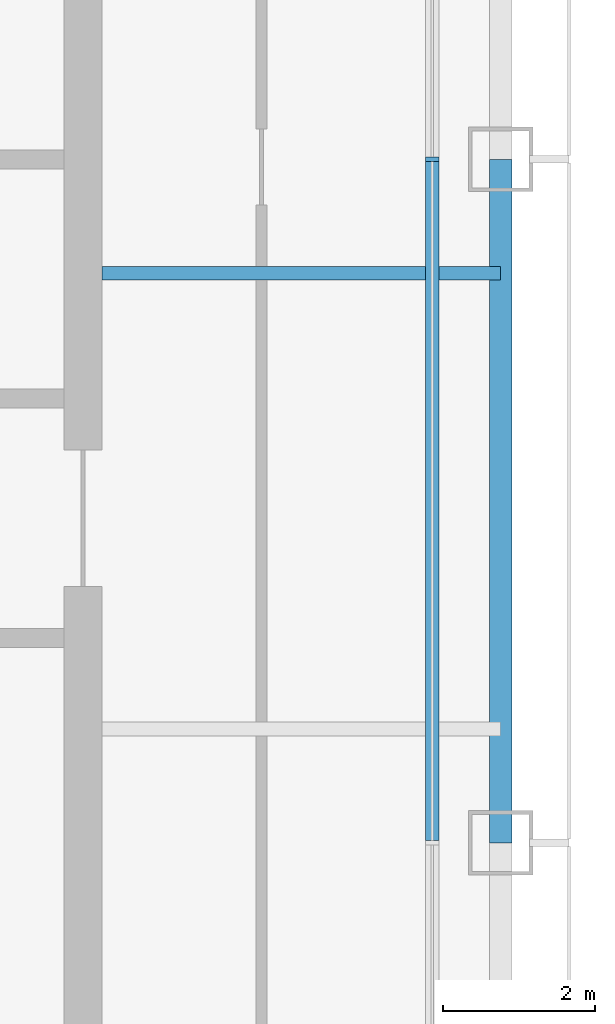
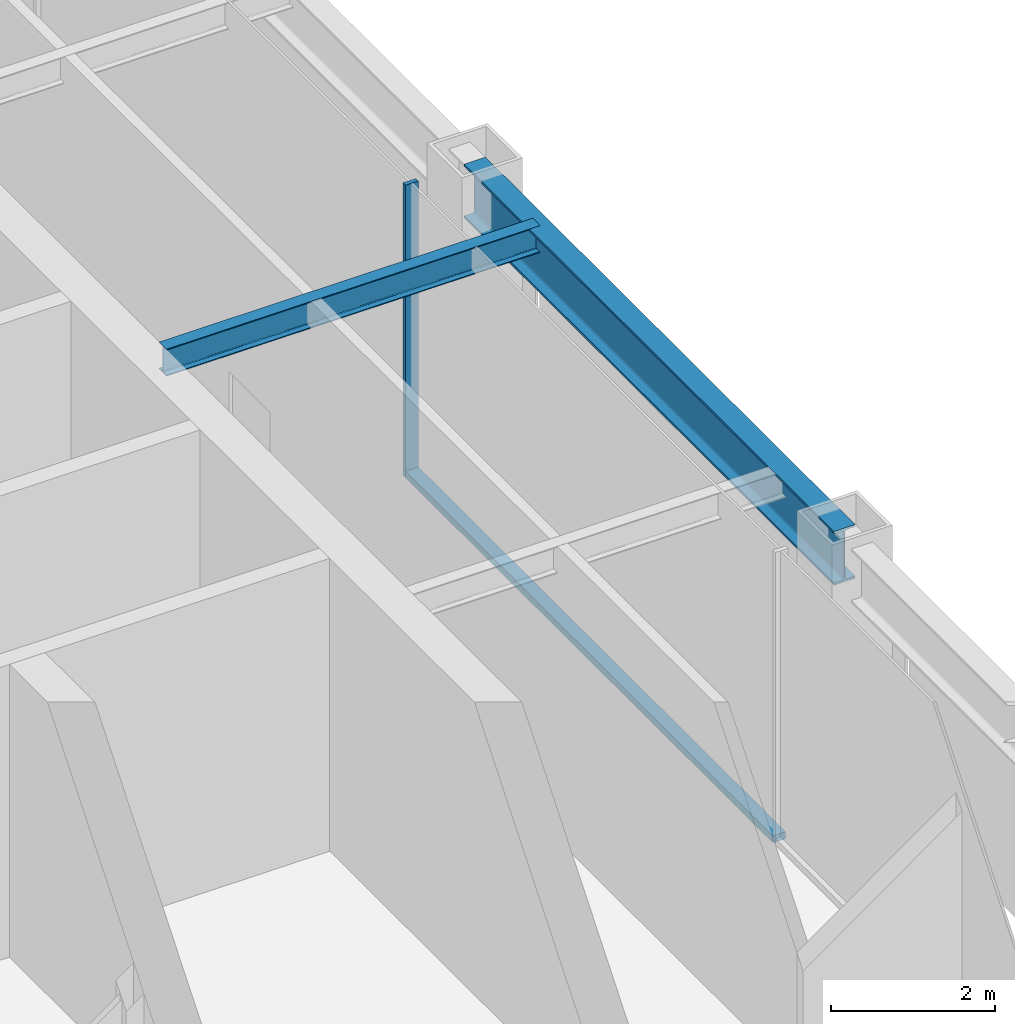
# One storey, part 5 of 22: 2 beams, 2 members, 1 element without a shape of its own.
"""IFC4 building model written with IfcOpenShell, lengths in metres."""

from ifc_helpers import new_model, si_unit, direction, frame, origin, origin_2d, place, context, subcontext, project, spatial, rectangle, i_section, extrude, material, layer, layer_set, material_profile, profile_set, type_object, element, aggregate, save


model = new_model("IFC4")

# Units and contexts
model_context = context("Model", 3, precision=1e-05, world=origin(), true_north=direction((0.0, 1.0)))
body_context = subcontext(model_context, "Body", "Model", "MODEL_VIEW")
ifc_project = project(units=[si_unit("LENGTHUNIT", "METRE"), si_unit("AREAUNIT", "SQUARE_METRE"), si_unit("VOLUMEUNIT", "CUBIC_METRE"), si_unit("PLANEANGLEUNIT", "RADIAN"), si_unit("MASSUNIT", "GRAM", prefix="KILO")], contexts=[model_context])

# Site, building, storey
site_placement = place(None, origin())
site = spatial("IfcSite", under=ifc_project, at=site_placement, CompositionType="ELEMENT")
building_placement = place(site_placement, origin())
building = spatial("IfcBuilding", under=site, at=building_placement, Name="Siwar Civic Tower", CompositionType="ELEMENT")
storey_placement = place(building_placement, frame((0.0, 0.0, 201.699951171875)))
storey = spatial("IfcBuildingStorey", under=building, at=storey_placement, Name="L43", CompositionType="ELEMENT", Elevation=201.699951171875)

# Curtain wall, members
ifc_material_1 = material(Name="Aluminium and glass", Category="aluminium")
ifc_layer = layer(ifc_material_1, 0.179931640625)
ifc_layer_set = layer_set([ifc_layer], Name="Aluminium and glass")
curtain_wall_type = type_object("IfcCurtainWallType", Name="ENV-CW-C", PredefinedType="NOTDEFINED", material=ifc_layer_set)
curtain_wall_placement = place(storey_placement, origin())
curtain_wall = element("IfcCurtainWall", 1, at=curtain_wall_placement, inside=storey, type_object=curtain_wall_type, Name="Curtain wall C E", PredefinedType="NOTDEFINED")
ifc_material_2 = material(Name="Aluminium 6063-T6", Category="aluminium")
ifc_material_profile_1 = material_profile(ifc_material_2, rectangle(XDim=0.179931640625, YDim=0.06005859375, at=origin_2d()), Name="AL 180x60")
ifc_profile_set_1 = profile_set([ifc_material_profile_1], Name="Aluminium 6063-T6")
member_type_1 = type_object("IfcMemberType", Name="ENV-MULLION-C", PredefinedType="MULLION", material=ifc_profile_set_1)
member_1_placement = place(storey_placement, frame((26.10009765625, 0.0, 0.0), z_axis=(0.0, 0.0, 1.0), x_axis=(-1.0, 0.0, 0.0)))
member_1 = element("IfcMember", 2, at=member_1_placement, type_object=member_type_1, Name="Mullion C E 3", PredefinedType="MULLION", context=body_context, shape_type="SweptSolid", body=[
    extrude(rectangle(XDim=0.179931640625, YDim=0.06005859375, at=origin_2d()), origin(), (0.0, 0.0, 1.0), 4.35009765625),
])
ifc_material_3 = material(Name="Aluminium 6063-T6", Category="aluminium")
ifc_material_profile_2 = material_profile(ifc_material_3, rectangle(XDim=0.179931640625, YDim=0.10009765625, at=origin_2d()), Name="AL 180x100")
ifc_profile_set_2 = profile_set([ifc_material_profile_2], Name="Aluminium 6063-T6")
member_type_2 = type_object("IfcMemberType", Name="ENV-TRANSOM-C", PredefinedType="USERDEFINED", material=ifc_profile_set_2)
member_2_placement = place(storey_placement, frame((26.10009765625, -8.969970703125, 0.050048828125), z_axis=(0.0, 1.0, 0.0), x_axis=(-1.0, 0.0, 0.0)))
member_2 = element("IfcMember", 3, at=member_2_placement, type_object=member_type_2, Name="Transom C E 2", ObjectType="TRANSOM", PredefinedType="USERDEFINED", context=body_context, shape_type="SweptSolid", body=[
    extrude(rectangle(XDim=0.179931640625, YDim=0.10009765625, at=origin_2d()), origin(), (0.0, 0.0, 1.0), 8.93994140625),
])
aggregate(curtain_wall, [member_1, member_2])

# Beams
ifc_material_4 = material(Name="Steel S355", Category="steel")
ifc_material_profile_3 = material_profile(ifc_material_4, i_section(OverallWidth=0.179931640625, OverallDepth=0.39990234375, WebThickness=0.008544921875, FlangeThickness=0.013427734375, FilletRadius=0.02099609375, at=origin_2d()), Name="IPE400")
ifc_profile_set_3 = profile_set([ifc_material_profile_3], Name="Steel S355")
beam_type_1 = type_object("IfcBeamType", Name="STR-FB-IPE400", PredefinedType="JOIST", material=ifc_profile_set_3)
beam_1_placement = place(storey_placement, frame((21.75, -1.5, 4.150146484375), z_axis=(1.0, 0.0, 0.0), x_axis=(0.0, 1.0, 0.0)))
element("IfcBeam", 4, at=beam_1_placement, inside=storey, type_object=beam_type_1, Name="L43/bm/F024", PredefinedType="JOIST", context=body_context, shape_type="SweptSolid", body=[
    extrude(i_section(OverallWidth=0.179931640625, OverallDepth=0.39990234375, WebThickness=0.008544921875, FlangeThickness=0.013427734375, FilletRadius=0.02099609375, at=origin_2d()), origin(), (0.0, 0.0, 1.0), 5.25),
])
ifc_material_5 = material(Name="Steel S355", Category="steel")
ifc_material_profile_4 = material_profile(ifc_material_5, i_section(OverallWidth=0.300048828125, OverallDepth=0.800048828125, WebThickness=0.017578125, FlangeThickness=0.032958984375, FilletRadius=0.030029296875, at=origin_2d()), Name="HEB800")
ifc_profile_set_4 = profile_set([ifc_material_profile_4], Name="Steel S355")
beam_type_2 = type_object("IfcBeamType", Name="STR-SB-HEB800", PredefinedType="BEAM", material=ifc_profile_set_4)
beam_2_placement = place(storey_placement, frame((27.0, -9.0, 3.949951171875), z_axis=(0.0, 1.0, 0.0), x_axis=(-1.0, 0.0, 0.0)))
element("IfcBeam", 5, at=beam_2_placement, inside=storey, type_object=beam_type_2, Name="L43/bm/SE-1", PredefinedType="BEAM", context=body_context, shape_type="SweptSolid", body=[
    extrude(i_section(OverallWidth=0.300048828125, OverallDepth=0.800048828125, WebThickness=0.017578125, FlangeThickness=0.032958984375, FilletRadius=0.030029296875, at=origin_2d()), origin(), (0.0, 0.0, 1.0), 9.0),
])

save(model, "model.ifc")
